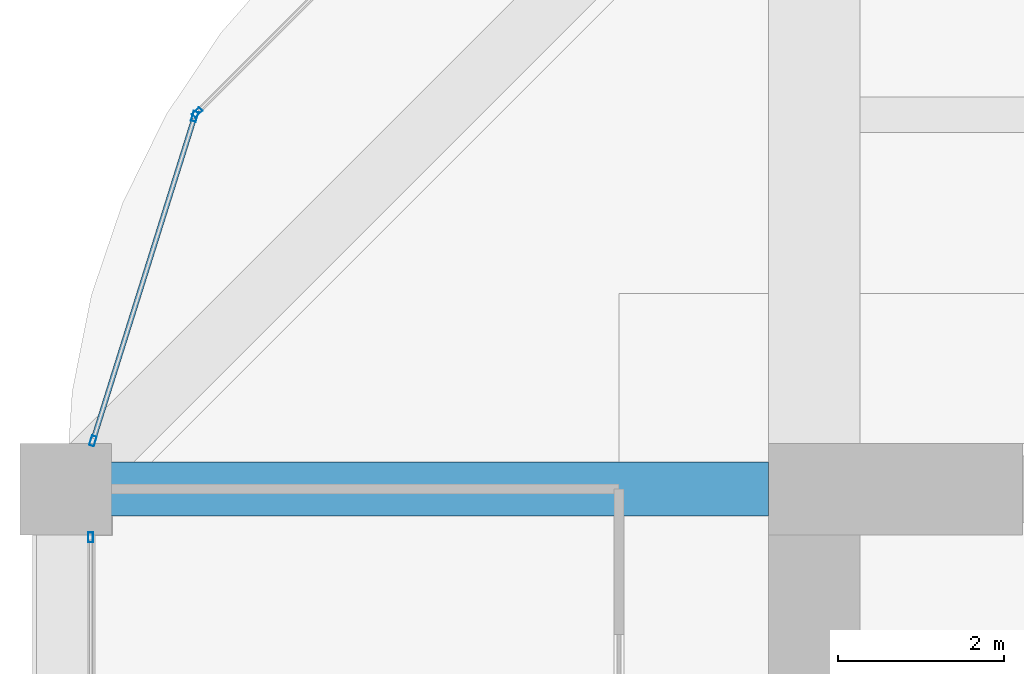
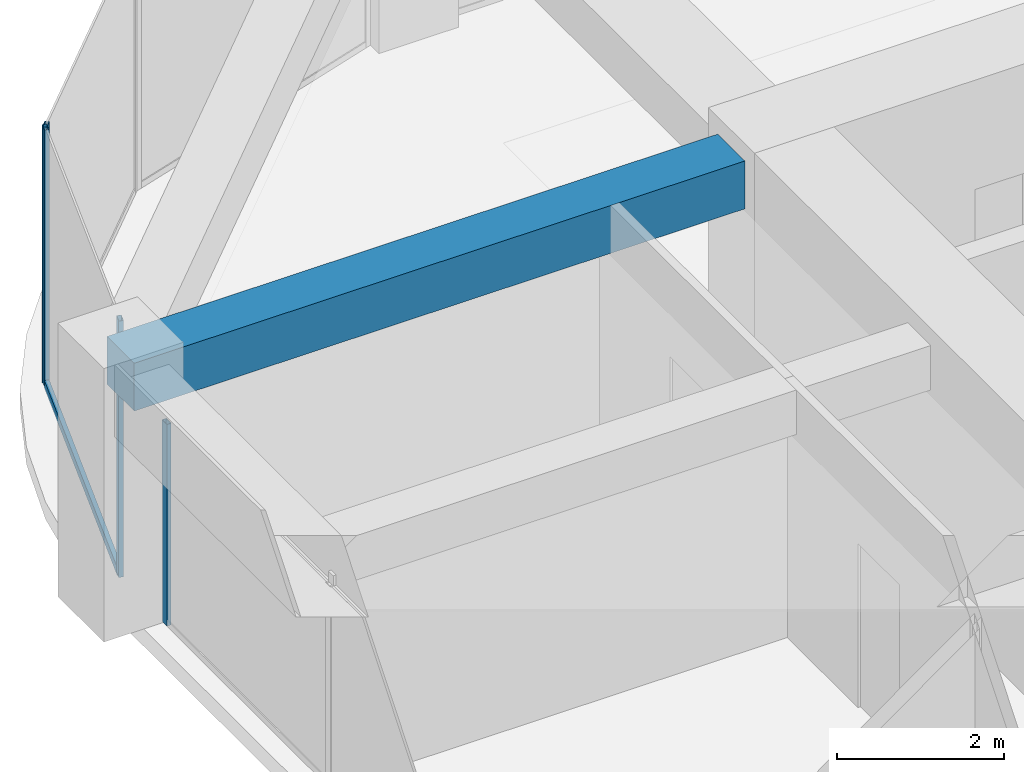
# One storey, part 28 of 44: 5 members, 1 beam, 3 elements without a shape of their own.
"""IFC4 building model written with IfcOpenShell, lengths in metres."""

from ifc_helpers import new_model, si_unit, direction, frame, origin, origin_2d, place, context, subcontext, project, spatial, rectangle, hollow_rectangle, extrude, material, material_profile, profile_set, type_object, element, aggregate, save


model = new_model("IFC4")

# Units and contexts
model_context = context("Model", 3, precision=1e-05, world=origin(), true_north=direction((0.0, 1.0)))
body_context = subcontext(model_context, "Body", "Model", "MODEL_VIEW")
ifc_project = project(units=[si_unit("LENGTHUNIT", "METRE"), si_unit("AREAUNIT", "SQUARE_METRE"), si_unit("VOLUMEUNIT", "CUBIC_METRE"), si_unit("PLANEANGLEUNIT", "RADIAN"), si_unit("MASSUNIT", "GRAM", prefix="KILO")], contexts=[model_context])

# Site, building, storey
site_placement = place(None, origin())
site = spatial("IfcSite", under=ifc_project, at=site_placement, CompositionType="ELEMENT")
building_placement = place(site_placement, origin())
building = spatial("IfcBuilding", under=site, at=building_placement, Name="Zorevar Civic Tower", CompositionType="ELEMENT")
storey_placement = place(building_placement, frame((0.0, 0.0, 287.39990234375)))
storey = spatial("IfcBuildingStorey", under=building, at=storey_placement, Name="L70", CompositionType="ELEMENT", Elevation=287.39990234375)

# Beam
ifc_material_1 = material(Name="Concrete C50/60", Category="concrete")
ifc_material_profile_1 = material_profile(ifc_material_1, rectangle(XDim=0.64990234375, YDim=0.699951171875, at=origin_2d()), Name="RC 650x700")
ifc_profile_set_1 = profile_set([ifc_material_profile_1], Name="Concrete C50/60")
beam_type = type_object("IfcBeamType", Name="Beam RC 650x700", PredefinedType="BEAM", material=ifc_profile_set_1)
beam_placement = place(storey_placement, frame((9.0, 36.0, 3.400146484375), z_axis=(1.0, 0.0, 0.0), x_axis=(0.0, 1.0, 0.0)))
element("IfcBeam", 1, at=beam_placement, inside=storey, type_object=beam_type, Name="Girder L71", PredefinedType="BEAM", context=body_context, shape_type="SweptSolid", body=[
    extrude(rectangle(XDim=0.64990234375, YDim=0.699951171875, at=origin_2d()), origin(), (0.0, 0.0, 1.0), 8.449951171875),
])

# Curtain wall, member
ifc_material_2 = material(Name="Dark grey solar-control glass in black aluminium frame", Category="aluminium")
curtain_wall_type = type_object("IfcCurtainWallType", Name="Curtain wall CW5 top zone", PredefinedType="NOTDEFINED", material=ifc_material_2)
curtain_wall_1_placement = place(storey_placement, origin())
curtain_wall_1 = element("IfcCurtainWall", 2, at=curtain_wall_1_placement, inside=storey, type_object=curtain_wall_type, Name="CW5 L70", PredefinedType="NOTDEFINED")
ifc_material_3 = material(Name="Aluminium, black anodised", Category="aluminium")
ifc_material_profile_2 = material_profile(ifc_material_3, hollow_rectangle(XDim=0.06005859375, YDim=0.1201171875, WallThickness=0.0029296875, at=origin_2d()), Name="AL 120x60x3")
ifc_profile_set_2 = profile_set([ifc_material_profile_2], Name="Aluminium, black anodised")
member_type_1 = type_object("IfcMemberType", Name="CW5 mullion AL 120x60x3", PredefinedType="MULLION", material=ifc_profile_set_2)
member_1_placement = place(storey_placement, frame((9.300048828125, 35.419921875, 0.0), z_axis=(0.0, 0.0, 1.0), x_axis=(-1.0, 0.0, 0.0)))
member_1 = element("IfcMember", 3, at=member_1_placement, type_object=member_type_1, Name="CW5 mullion 3", PredefinedType="MULLION", context=body_context, shape_type="SweptSolid", body=[
    extrude(hollow_rectangle(XDim=0.06005859375, YDim=0.1201171875, WallThickness=0.0029296875, at=origin_2d()), origin(), (0.0, 0.0, 1.0), 2.9501953125),
])
aggregate(curtain_wall_1, [member_1])

curtain_wall_2_placement = place(storey_placement, origin())
curtain_wall_2 = element("IfcCurtainWall", 4, at=curtain_wall_2_placement, inside=storey, type_object=curtain_wall_type, Name="CW5 L70", PredefinedType="NOTDEFINED")
member_2_placement = place(storey_placement, frame((10.580322265625, 40.529052734375, 0.0), z_axis=(0.0, 0.0, 1.0), x_axis=(0.707106781187, -0.707106781187, 0.0)))
member_2 = element("IfcMember", 5, at=member_2_placement, type_object=member_type_1, Name="CW5 mullion 2", PredefinedType="MULLION", context=body_context, shape_type="SweptSolid", body=[
    extrude(hollow_rectangle(XDim=0.06005859375, YDim=0.1201171875, WallThickness=0.0029296875, at=origin_2d()), origin(), (0.0, 0.0, 1.0), 3.75),
])
aggregate(curtain_wall_2, [member_2])

# Curtain wall, members
curtain_wall_3_placement = place(storey_placement, origin())
curtain_wall_3 = element("IfcCurtainWall", 6, at=curtain_wall_3_placement, inside=storey, type_object=curtain_wall_type, Name="CW5 L70", PredefinedType="NOTDEFINED")
member_3_placement = place(storey_placement, frame((10.550048828125, 40.479248046875, 0.0), z_axis=(0.0, 0.0, 1.0), x_axis=(0.954153437674, -0.299317920238, 0.0)))
member_3 = element("IfcMember", 7, at=member_3_placement, type_object=member_type_1, Name="CW5 mullion 1", PredefinedType="MULLION", context=body_context, shape_type="SweptSolid", body=[
    extrude(hollow_rectangle(XDim=0.06005859375, YDim=0.1201171875, WallThickness=0.0029296875, at=origin_2d()), origin(), (0.0, 0.0, 1.0), 3.75),
])
member_4_placement = place(storey_placement, frame((9.326416015625, 36.57861328125, 0.0), z_axis=(0.0, 0.0, 1.0), x_axis=(0.954153437674, -0.299317920238, 0.0)))
member_4 = element("IfcMember", 8, at=member_4_placement, type_object=member_type_1, Name="CW5 mullion 2", PredefinedType="MULLION", context=body_context, shape_type="SweptSolid", body=[
    extrude(hollow_rectangle(XDim=0.06005859375, YDim=0.1201171875, WallThickness=0.0029296875, at=origin_2d()), origin(), (0.0, 0.0, 1.0), 3.75),
])
ifc_material_4 = material(Name="Aluminium, black anodised", Category="aluminium")
ifc_material_profile_3 = material_profile(ifc_material_4, hollow_rectangle(XDim=0.06005859375, YDim=0.1201171875, WallThickness=0.0029296875, at=origin_2d()), Name="AL 120x60x3")
ifc_profile_set_3 = profile_set([ifc_material_profile_3], Name="Aluminium, black anodised")
member_type_2 = type_object("IfcMemberType", Name="CW5 transom AL 120x60x3", PredefinedType="USERDEFINED", material=ifc_profile_set_3)
member_5_placement = place(storey_placement, frame((10.541015625, 40.45068359375, 0.030029296875), z_axis=(-0.299285978047, -0.954163457351, 0.0), x_axis=(0.954163457351, -0.299285978047, 0.0)))
member_5 = element("IfcMember", 9, at=member_5_placement, type_object=member_type_2, Name="CW5 sill transom", ObjectType="TRANSOM", PredefinedType="USERDEFINED", context=body_context, shape_type="SweptSolid", body=[
    extrude(hollow_rectangle(XDim=0.06005859375, YDim=0.1201171875, WallThickness=0.0029296875, at=origin_2d()), origin(), (0.0, 0.0, 1.0), 4.028076171875),
])
aggregate(curtain_wall_3, [member_3, member_4, member_5])

save(model, "model.ifc")
